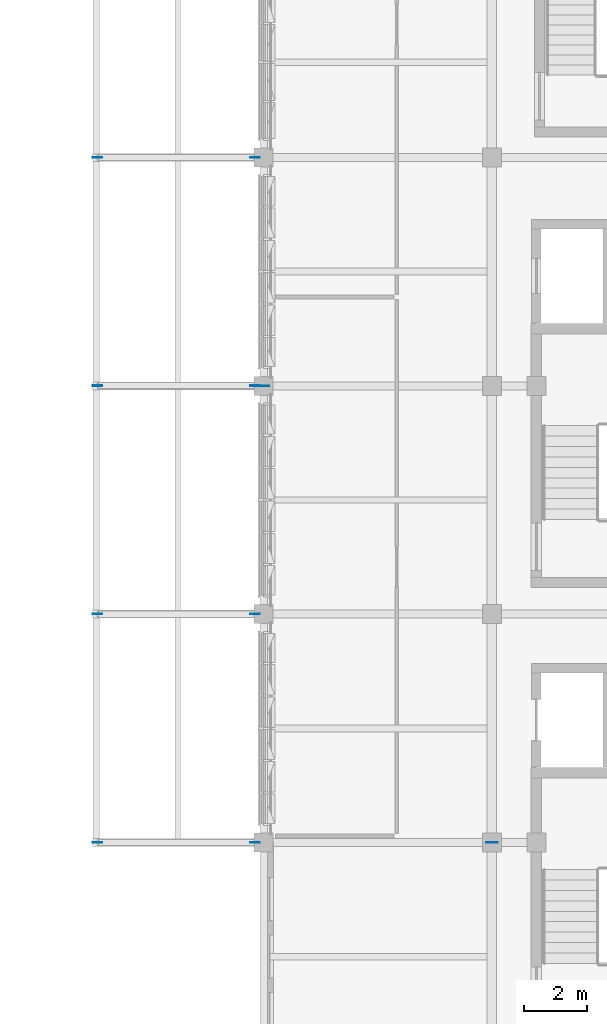
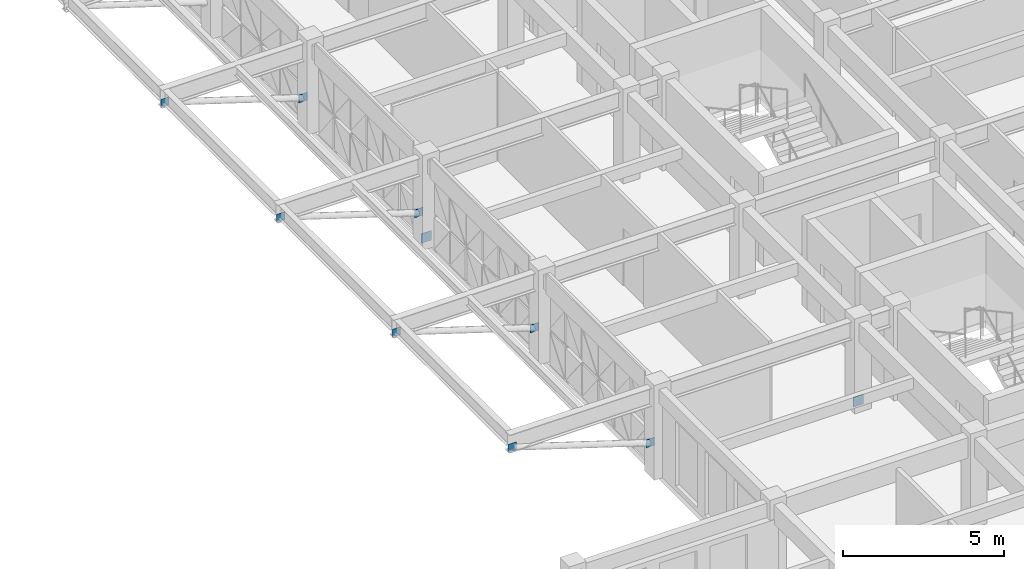
# One storey, part 46 of 99: 10 plates.
"""IFC4 building model written with IfcOpenShell, lengths in metres."""

from ifc_helpers import new_model, si_unit, direction, frame, origin, place, context, subcontext, project, spatial, polyline, outline, extrude, material, layer, layer_set, type_object, element, save


model = new_model("IFC4")

# Units and contexts
model_context = context("Model", 3, precision=1e-05, world=origin(), true_north=direction((0.0, 1.0)))
body_context = subcontext(model_context, "Body", "Model", "MODEL_VIEW")
ifc_project = project(units=[si_unit("LENGTHUNIT", "METRE"), si_unit("AREAUNIT", "SQUARE_METRE"), si_unit("VOLUMEUNIT", "CUBIC_METRE"), si_unit("PLANEANGLEUNIT", "RADIAN"), si_unit("MASSUNIT", "GRAM", prefix="KILO")], contexts=[model_context])

# Site, building, storey
site_placement = place(None, origin())
site = spatial("IfcSite", under=ifc_project, at=site_placement, CompositionType="ELEMENT")
building_placement = place(site_placement, origin())
building = spatial("IfcBuilding", under=site, at=building_placement, Name="Alvorim Cloister Faculty of Sciences", CompositionType="ELEMENT")
storey_placement = place(building_placement, frame((0.0, 0.0, 12.14990234375)))
storey = spatial("IfcBuildingStorey", under=building, at=storey_placement, Name="L03", CompositionType="ELEMENT", Elevation=12.14990234375)

# Plates
ifc_material = material(Name="Steel ASTM A572 Grade 50", Category="steel")
ifc_layer_1 = layer(ifc_material, 0.02001953125)
ifc_layer_set_1 = layer_set([ifc_layer_1], Name="Steel ASTM A572 Grade 50")
plate_type_1 = type_object("IfcPlateType", Name="PL-GUS-20", PredefinedType="SHEET", material=ifc_layer_set_1)
plate_1_placement = place(storey_placement, frame((7.07958984375, 21.60009765625, 1.09716796875), z_axis=(0.0, 0.0, 1.0), x_axis=(-1.0, 0.0, 0.0)))
element("IfcPlate", 1, at=plate_1_placement, inside=storey, type_object=plate_type_1, Name="Hollow Steel End Plate ND-03", PredefinedType="SHEET", context=body_context, shape_type="SweptSolid", body=[
    extrude(outline(polyline([(0.0, 0.0), (0.300048828125, 0.0), (0.300048828125, 0.2998046875), (0.0, 0.2998046875), (0.0, 0.0)])), frame((0.0, 0.010009765625, 0.0), z_axis=(0.0, -1.0, 0.0), x_axis=(1.0, 0.0, 0.0)), (0.0, 0.0, 1.0), 0.02001953125),
])
plate_2_placement = place(storey_placement, frame((2.120361328125, 21.60009765625, 2.6630859375), z_axis=(0.0, 0.0, 1.0), x_axis=(-1.0, 0.0, 0.0)))
element("IfcPlate", 2, at=plate_2_placement, inside=storey, type_object=plate_type_1, Name="Hollow Steel End Plate ND-03", PredefinedType="SHEET", context=body_context, shape_type="SweptSolid", body=[
    extrude(outline(polyline([(0.0, 0.0), (0.300048828125, 0.0), (0.300048828125, 0.300048828125), (0.0, 0.300048828125), (0.0, 0.0)])), frame((0.0, 0.010009765625, 0.0), z_axis=(0.0, -1.0, 0.0), x_axis=(1.0, 0.0, 0.0)), (0.0, 0.0, 1.0), 0.02001953125),
])
plate_3_placement = place(storey_placement, frame((7.07958984375, 28.800048828125, 1.09716796875), z_axis=(0.0, 0.0, 1.0), x_axis=(-1.0, 0.0, 0.0)))
element("IfcPlate", 3, at=plate_3_placement, inside=storey, type_object=plate_type_1, Name="Hollow Steel End Plate ND-03", PredefinedType="SHEET", context=body_context, shape_type="SweptSolid", body=[
    extrude(outline(polyline([(0.0, 0.0), (0.300048828125, 0.0), (0.300048828125, 0.2998046875), (0.0, 0.2998046875), (0.0, 0.0)])), frame((0.0, 0.010009765625, 0.0), z_axis=(0.0, -1.0, 0.0), x_axis=(1.0, 0.0, 0.0)), (0.0, 0.0, 1.0), 0.02001953125),
])
plate_4_placement = place(storey_placement, frame((2.120361328125, 28.800048828125, 2.6630859375), z_axis=(0.0, 0.0, 1.0), x_axis=(-1.0, 0.0, 0.0)))
element("IfcPlate", 4, at=plate_4_placement, inside=storey, type_object=plate_type_1, Name="Hollow Steel End Plate ND-03", PredefinedType="SHEET", context=body_context, shape_type="SweptSolid", body=[
    extrude(outline(polyline([(0.0, 0.0), (0.300048828125, 0.0), (0.300048828125, 0.300048828125), (0.0, 0.300048828125), (0.0, 0.0)])), frame((0.0, 0.010009765625, 0.0), z_axis=(0.0, -1.0, 0.0), x_axis=(1.0, 0.0, 0.0)), (0.0, 0.0, 1.0), 0.02001953125),
])
plate_5_placement = place(storey_placement, frame((7.07958984375, 36.0, 1.09716796875), z_axis=(0.0, 0.0, 1.0), x_axis=(-1.0, 0.0, 0.0)))
element("IfcPlate", 5, at=plate_5_placement, inside=storey, type_object=plate_type_1, Name="Hollow Steel End Plate ND-03", PredefinedType="SHEET", context=body_context, shape_type="SweptSolid", body=[
    extrude(outline(polyline([(0.0, 0.0), (0.300048828125, 0.0), (0.300048828125, 0.2998046875), (0.0, 0.2998046875), (0.0, 0.0)])), frame((0.0, 0.010009765625, 0.0), z_axis=(0.0, -1.0, 0.0), x_axis=(1.0, 0.0, 0.0)), (0.0, 0.0, 1.0), 0.02001953125),
])
plate_6_placement = place(storey_placement, frame((2.120361328125, 36.0, 2.6630859375), z_axis=(0.0, 0.0, 1.0), x_axis=(-1.0, 0.0, 0.0)))
element("IfcPlate", 6, at=plate_6_placement, inside=storey, type_object=plate_type_1, Name="Hollow Steel End Plate ND-03", PredefinedType="SHEET", context=body_context, shape_type="SweptSolid", body=[
    extrude(outline(polyline([(0.0, 0.0), (0.300048828125, 0.0), (0.300048828125, 0.300048828125), (0.0, 0.300048828125), (0.0, 0.0)])), frame((0.0, 0.010009765625, 0.0), z_axis=(0.0, -1.0, 0.0), x_axis=(1.0, 0.0, 0.0)), (0.0, 0.0, 1.0), 0.02001953125),
])
plate_7_placement = place(storey_placement, frame((7.07958984375, 43.199951171875, 1.09716796875), z_axis=(0.0, 0.0, 1.0), x_axis=(-1.0, 0.0, 0.0)))
element("IfcPlate", 7, at=plate_7_placement, inside=storey, type_object=plate_type_1, Name="Hollow Steel End Plate ND-03", PredefinedType="SHEET", context=body_context, shape_type="SweptSolid", body=[
    extrude(outline(polyline([(0.0, 0.0), (0.300048828125, 0.0), (0.300048828125, 0.2998046875), (0.0, 0.2998046875), (0.0, 0.0)])), frame((0.0, 0.010009765625, 0.0), z_axis=(0.0, -1.0, 0.0), x_axis=(1.0, 0.0, 0.0)), (0.0, 0.0, 1.0), 0.02001953125),
])
plate_8_placement = place(storey_placement, frame((2.120361328125, 43.199951171875, 2.6630859375), z_axis=(0.0, 0.0, 1.0), x_axis=(-1.0, 0.0, 0.0)))
element("IfcPlate", 8, at=plate_8_placement, inside=storey, type_object=plate_type_1, Name="Hollow Steel End Plate ND-03", PredefinedType="SHEET", context=body_context, shape_type="SweptSolid", body=[
    extrude(outline(polyline([(0.0, 0.0), (0.300048828125, 0.0), (0.300048828125, 0.300048828125), (0.0, 0.300048828125), (0.0, 0.0)])), frame((0.0, 0.010009765625, 0.0), z_axis=(0.0, -1.0, 0.0), x_axis=(1.0, 0.0, 0.0)), (0.0, 0.0, 1.0), 0.02001953125),
])
ifc_layer_2 = layer(ifc_material, 0.02490234375)
ifc_layer_set_2 = layer_set([ifc_layer_2], Name="Steel ASTM A572 Grade 50")
plate_type_2 = type_object("IfcPlateType", Name="PL-KNIFE-25", PredefinedType="SHEET", material=ifc_layer_set_2)
plate_9_placement = place(storey_placement, frame((14.219970703125, 21.60009765625, 0.050048828125), z_axis=(0.0, 0.0, 1.0), x_axis=(1.0, 0.0, 0.0)))
element("IfcPlate", 9, at=plate_9_placement, inside=storey, type_object=plate_type_2, Name="Glulam-Steel Knife Connection Plate 4", PredefinedType="SHEET", context=body_context, shape_type="SweptSolid", body=[
    extrude(outline(polyline([(0.0, 0.0), (0.360107421875, 0.0), (0.360107421875, 0.360107421875), (0.0, 0.360107421875), (0.0, 0.0)])), frame((0.0, 0.012451171875, 0.0), z_axis=(0.0, -1.0, 0.0), x_axis=(1.0, 0.0, 0.0)), (0.0, 0.0, 1.0), 0.02490234375),
])
ifc_layer_3 = layer(ifc_material, 0.01806640625)
ifc_layer_set_3 = layer_set([ifc_layer_3], Name="Steel ASTM A572 Grade 50")
plate_type_3 = type_object("IfcPlateType", Name="PL-SPLICE-18", PredefinedType="SHEET", material=ifc_layer_set_3)
plate_10_placement = place(storey_placement, frame((7.02001953125, 36.0, 0.050048828125), z_axis=(0.0, 0.0, 1.0), x_axis=(1.0, 0.0, 0.0)))
element("IfcPlate", 10, at=plate_10_placement, inside=storey, type_object=plate_type_3, Name="Glulam-Steel Knife Connection Plate 3", PredefinedType="SHEET", context=body_context, shape_type="SweptSolid", body=[
    extrude(outline(polyline([(0.0, 0.0), (0.360107421875, 0.0), (0.360107421875, 0.360107421875), (0.0, 0.360107421875), (0.0, 0.0)])), frame((0.0, 0.009033203125, 0.0), z_axis=(0.0, -1.0, 0.0), x_axis=(1.0, 0.0, 0.0)), (0.0, 0.0, 1.0), 0.01806640625),
])

save(model, "model.ifc")
